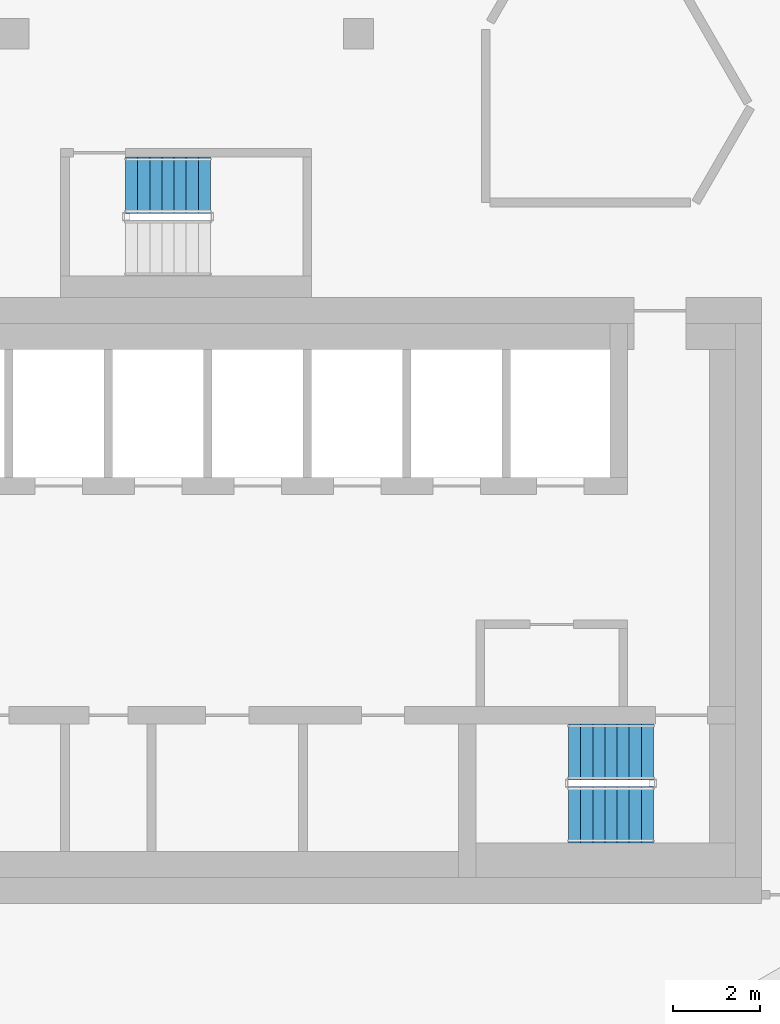
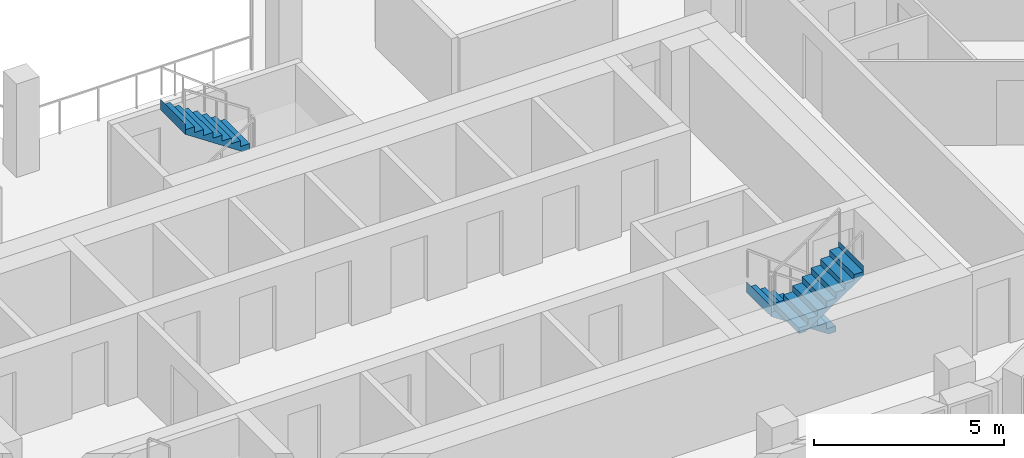
# One storey, part 10 of 15: 3 stair flights, 2 elements without a shape of their own.
"""IFC4 building model written with IfcOpenShell, lengths in metres."""

from ifc_helpers import new_model, si_unit, direction, frame, origin, place, context, subcontext, project, spatial, triangles, material, type_object, element, aggregate, save


model = new_model("IFC4")

# Units and contexts
model_context = context("Model", 3, precision=1e-05, world=origin(), true_north=direction((0.0, 1.0)))
body_context = subcontext(model_context, "Body", "Model", "MODEL_VIEW")
ifc_project = project(units=[si_unit("LENGTHUNIT", "METRE"), si_unit("AREAUNIT", "SQUARE_METRE"), si_unit("VOLUMEUNIT", "CUBIC_METRE"), si_unit("PLANEANGLEUNIT", "RADIAN"), si_unit("MASSUNIT", "GRAM", prefix="KILO")], contexts=[model_context])

# Site, building, storey
site_placement = place(None, origin())
site = spatial("IfcSite", under=ifc_project, at=site_placement, CompositionType="ELEMENT")
building_placement = place(site_placement, origin())
building = spatial("IfcBuilding", under=site, at=building_placement, Name="Beryl Residences", CompositionType="ELEMENT")
storey_placement = place(building_placement, frame((0.0, 0.0, 193.199951171875)))
storey = spatial("IfcBuildingStorey", under=building, at=storey_placement, Name="L59", CompositionType="ELEMENT", Elevation=193.199951171875)

# Stair, stair flights
ifc_material_1 = material(Name="Concrete C40/50", Category="concrete")
stair_type = type_object("IfcStairType", Name="ST1 protected exit stair, half-turn, 1300 mm flights", PredefinedType="HALF_TURN_STAIR", material=ifc_material_1)
stair_1_placement = place(storey_placement, origin())
stair_1 = element("IfcStair", 1, at=stair_1_placement, inside=storey, type_object=stair_type, Name="L59 PROTECTED EXIT STAIR ST-3", PredefinedType="HALF_TURN_STAIR")
ifc_material_2 = material(Name="Concrete C40/50", Category="concrete")
stair_flight_type = type_object("IfcStairFlightType", Name="SF1 stair flight 1300 mm", PredefinedType="STRAIGHT", material=ifc_material_2)
stair_flight_1_placement = place(storey_placement, frame((10.800048828125, -15.5, 0.0), z_axis=(0.0, 0.0, 1.0), x_axis=(-1.0, 0.0, 0.0)))
stair_flight_1 = element("IfcStairFlight", 2, at=stair_flight_1_placement, type_object=stair_flight_type, Name="ST-3 flight 1", NumberOfRisers=8, NumberOfTreads=7, PredefinedType="STRAIGHT", RiserHeight=0.1875, TreadLength=0.28, context=body_context, shape_type="Tessellation", body=[
    triangles([(0.0, -0.64990234375, 0.0), (0.0, -0.324951171875, 0.0), (0.0, 0.0, 0.0), (0.0, 0.324951171875, 0.0), (0.0, 0.64990234375, 0.0), (0.0, -0.64990234375, 0.1875), (0.0, -0.324951171875, 0.1875), (0.0, 0.0, 0.1875), (0.0, 0.324951171875, 0.1875), (0.0, 0.64990234375, 0.1875), (0.280029296875, -0.64990234375, 0.1875), (0.280029296875, -0.324951171875, 0.1875), (0.280029296875, 0.0, 0.1875), (0.280029296875, 0.324951171875, 0.1875), (0.280029296875, 0.64990234375, 0.1875), (0.280029296875, -0.64990234375, 0.375), (0.280029296875, -0.324951171875, 0.375), (0.280029296875, 0.0, 0.375), (0.280029296875, 0.324951171875, 0.375), (0.280029296875, 0.64990234375, 0.375), (0.56005859375, -0.64990234375, 0.375), (0.56005859375, -0.324951171875, 0.375), (0.56005859375, 0.0, 0.375), (0.56005859375, 0.324951171875, 0.375), (0.56005859375, 0.64990234375, 0.375), (0.56005859375, -0.64990234375, 0.5625), (0.56005859375, -0.324951171875, 0.5625), (0.56005859375, 0.0, 0.5625), (0.56005859375, 0.324951171875, 0.5625), (0.56005859375, 0.64990234375, 0.5625), (0.840087890625, -0.64990234375, 0.5625), (0.840087890625, -0.324951171875, 0.5625), (0.840087890625, 0.0, 0.5625), (0.840087890625, 0.324951171875, 0.5625), (0.840087890625, 0.64990234375, 0.5625), (0.840087890625, -0.64990234375, 0.75), (0.840087890625, -0.324951171875, 0.75), (0.840087890625, 0.0, 0.75), (0.840087890625, 0.324951171875, 0.75), (0.840087890625, 0.64990234375, 0.75), (1.1201171875, -0.64990234375, 0.75), (1.1201171875, -0.324951171875, 0.75), (1.1201171875, 0.0, 0.75), (1.1201171875, 0.324951171875, 0.75), (1.1201171875, 0.64990234375, 0.75), (1.1201171875, -0.64990234375, 0.9375), (1.1201171875, -0.324951171875, 0.9375), (1.1201171875, 0.0, 0.9375), (1.1201171875, 0.324951171875, 0.9375), (1.1201171875, 0.64990234375, 0.9375), (1.39990234375, -0.64990234375, 0.9375), (1.39990234375, -0.324951171875, 0.9375), (1.39990234375, 0.0, 0.9375), (1.39990234375, 0.324951171875, 0.9375), (1.39990234375, 0.64990234375, 0.9375), (1.39990234375, -0.64990234375, 1.125), (1.39990234375, -0.324951171875, 1.125), (1.39990234375, 0.0, 1.125), (1.39990234375, 0.324951171875, 1.125), (1.39990234375, 0.64990234375, 1.125), (1.679931640625, -0.64990234375, 1.125), (1.679931640625, -0.324951171875, 1.125), (1.679931640625, 0.0, 1.125), (1.679931640625, 0.324951171875, 1.125), (1.679931640625, 0.64990234375, 1.125), (1.679931640625, -0.64990234375, 1.3125), (1.679931640625, -0.324951171875, 1.3125), (1.679931640625, 0.0, 1.3125), (1.679931640625, 0.324951171875, 1.3125), (1.679931640625, 0.64990234375, 1.3125), (1.9599609375, -0.64990234375, 1.3125), (1.9599609375, -0.324951171875, 1.3125), (1.9599609375, 0.0, 1.3125), (1.9599609375, 0.324951171875, 1.3125), (1.9599609375, 0.64990234375, 1.3125), (1.9599609375, -0.64990234375, 1.5), (1.9599609375, -0.324951171875, 1.5), (1.9599609375, 0.0, 1.5), (1.9599609375, 0.324951171875, 1.5), (1.9599609375, 0.64990234375, 1.5), (1.9609375, -0.64990234375, 1.5), (1.9609375, -0.324951171875, 1.5), (1.9609375, 0.0, 1.5), (1.9609375, 0.324951171875, 1.5), (1.9609375, 0.64990234375, 1.5), (1.9609375, -0.64990234375, 1.16796875), (1.9609375, -0.324951171875, 1.16796875), (1.9609375, 0.0, 1.16796875), (1.9609375, 0.324951171875, 1.16796875), (1.9609375, 0.64990234375, 1.16796875), (0.216796875, -0.64990234375, 0.0), (0.216796875, -0.324951171875, 0.0), (0.216796875, 0.0, 0.0), (0.216796875, 0.324951171875, 0.0), (0.216796875, 0.64990234375, 0.0)], [[1, 6, 7], [1, 7, 2], [2, 7, 8], [2, 8, 3], [3, 8, 9], [3, 9, 4], [4, 9, 10], [4, 10, 5], [6, 11, 12], [6, 12, 7], [7, 12, 13], [7, 13, 8], [8, 13, 14], [8, 14, 9], [9, 14, 15], [9, 15, 10], [11, 16, 17], [11, 17, 12], [12, 17, 18], [12, 18, 13], [13, 18, 19], [13, 19, 14], [14, 19, 20], [14, 20, 15], [16, 21, 22], [16, 22, 17], [17, 22, 23], [17, 23, 18], [18, 23, 24], [18, 24, 19], [19, 24, 25], [19, 25, 20], [21, 26, 27], [21, 27, 22], [22, 27, 28], [22, 28, 23], [23, 28, 29], [23, 29, 24], [24, 29, 30], [24, 30, 25], [26, 31, 32], [26, 32, 27], [27, 32, 33], [27, 33, 28], [28, 33, 34], [28, 34, 29], [29, 34, 35], [29, 35, 30], [31, 36, 37], [31, 37, 32], [32, 37, 38], [32, 38, 33], [33, 38, 39], [33, 39, 34], [34, 39, 40], [34, 40, 35], [36, 41, 42], [36, 42, 37], [37, 42, 43], [37, 43, 38], [38, 43, 44], [38, 44, 39], [39, 44, 45], [39, 45, 40], [41, 46, 47], [41, 47, 42], [42, 47, 48], [42, 48, 43], [43, 48, 49], [43, 49, 44], [44, 49, 50], [44, 50, 45], [46, 51, 52], [46, 52, 47], [47, 52, 53], [47, 53, 48], [48, 53, 54], [48, 54, 49], [49, 54, 55], [49, 55, 50], [51, 56, 57], [51, 57, 52], [52, 57, 58], [52, 58, 53], [53, 58, 59], [53, 59, 54], [54, 59, 60], [54, 60, 55], [56, 61, 62], [56, 62, 57], [57, 62, 63], [57, 63, 58], [58, 63, 64], [58, 64, 59], [59, 64, 65], [59, 65, 60], [61, 66, 67], [61, 67, 62], [62, 67, 68], [62, 68, 63], [63, 68, 69], [63, 69, 64], [64, 69, 70], [64, 70, 65], [66, 71, 72], [66, 72, 67], [67, 72, 73], [67, 73, 68], [68, 73, 74], [68, 74, 69], [69, 74, 75], [69, 75, 70], [71, 76, 77], [71, 77, 72], [72, 77, 78], [72, 78, 73], [73, 78, 79], [73, 79, 74], [74, 79, 80], [74, 80, 75], [76, 81, 82], [76, 82, 77], [77, 82, 83], [77, 83, 78], [78, 83, 84], [78, 84, 79], [79, 84, 85], [79, 85, 80], [81, 86, 87], [81, 87, 82], [82, 87, 88], [82, 88, 83], [83, 88, 89], [83, 89, 84], [84, 89, 90], [84, 90, 85], [86, 91, 92], [86, 92, 87], [87, 92, 93], [87, 93, 88], [88, 93, 94], [88, 94, 89], [89, 94, 95], [89, 95, 90], [91, 1, 2], [91, 2, 92], [92, 2, 3], [92, 3, 93], [93, 3, 4], [93, 4, 94], [94, 4, 5], [94, 5, 95], [1, 91, 86], [5, 90, 95], [86, 81, 76], [90, 80, 85], [86, 76, 71], [90, 75, 80], [86, 71, 66], [90, 70, 75], [86, 66, 61], [90, 65, 70], [61, 56, 51], [65, 55, 60], [86, 61, 51], [90, 55, 65], [51, 46, 41], [55, 45, 50], [86, 51, 41], [90, 45, 55], [41, 36, 31], [45, 35, 40], [86, 41, 31], [90, 35, 45], [31, 26, 21], [35, 25, 30], [86, 31, 21], [90, 25, 35], [21, 16, 11], [25, 15, 20], [86, 21, 11], [90, 15, 25], [1, 86, 11], [5, 15, 90], [11, 6, 1], [15, 5, 10]], closed=True),
])
stair_flight_2_placement = place(storey_placement, frame((8.840087890625, -16.949951171875, 1.5), z_axis=(0.0, 0.0, 1.0), x_axis=(1.0, 0.0, 0.0)))
stair_flight_2 = element("IfcStairFlight", 3, at=stair_flight_2_placement, type_object=stair_flight_type, Name="ST-3 flight 2", NumberOfRisers=8, NumberOfTreads=7, PredefinedType="STRAIGHT", RiserHeight=0.1875, TreadLength=0.28, context=body_context, shape_type="Tessellation", body=[
    triangles([(0.0, -0.64990234375, 0.0), (0.0, -0.324951171875, 0.0), (0.0, 0.0, 0.0), (0.0, 0.324951171875, 0.0), (0.0, 0.64990234375, 0.0), (0.0, -0.64990234375, 0.1875), (0.0, -0.324951171875, 0.1875), (0.0, 0.0, 0.1875), (0.0, 0.324951171875, 0.1875), (0.0, 0.64990234375, 0.1875), (0.280029296875, -0.64990234375, 0.1875), (0.280029296875, -0.324951171875, 0.1875), (0.280029296875, 0.0, 0.1875), (0.280029296875, 0.324951171875, 0.1875), (0.280029296875, 0.64990234375, 0.1875), (0.280029296875, -0.64990234375, 0.375), (0.280029296875, -0.324951171875, 0.375), (0.280029296875, 0.0, 0.375), (0.280029296875, 0.324951171875, 0.375), (0.280029296875, 0.64990234375, 0.375), (0.56005859375, -0.64990234375, 0.375), (0.56005859375, -0.324951171875, 0.375), (0.56005859375, 0.0, 0.375), (0.56005859375, 0.324951171875, 0.375), (0.56005859375, 0.64990234375, 0.375), (0.56005859375, -0.64990234375, 0.5625), (0.56005859375, -0.324951171875, 0.5625), (0.56005859375, 0.0, 0.5625), (0.56005859375, 0.324951171875, 0.5625), (0.56005859375, 0.64990234375, 0.5625), (0.840087890625, -0.64990234375, 0.5625), (0.840087890625, -0.324951171875, 0.5625), (0.840087890625, 0.0, 0.5625), (0.840087890625, 0.324951171875, 0.5625), (0.840087890625, 0.64990234375, 0.5625), (0.840087890625, -0.64990234375, 0.75), (0.840087890625, -0.324951171875, 0.75), (0.840087890625, 0.0, 0.75), (0.840087890625, 0.324951171875, 0.75), (0.840087890625, 0.64990234375, 0.75), (1.1201171875, -0.64990234375, 0.75), (1.1201171875, -0.324951171875, 0.75), (1.1201171875, 0.0, 0.75), (1.1201171875, 0.324951171875, 0.75), (1.1201171875, 0.64990234375, 0.75), (1.1201171875, -0.64990234375, 0.9375), (1.1201171875, -0.324951171875, 0.9375), (1.1201171875, 0.0, 0.9375), (1.1201171875, 0.324951171875, 0.9375), (1.1201171875, 0.64990234375, 0.9375), (1.39990234375, -0.64990234375, 0.9375), (1.39990234375, -0.324951171875, 0.9375), (1.39990234375, 0.0, 0.9375), (1.39990234375, 0.324951171875, 0.9375), (1.39990234375, 0.64990234375, 0.9375), (1.39990234375, -0.64990234375, 1.125), (1.39990234375, -0.324951171875, 1.125), (1.39990234375, 0.0, 1.125), (1.39990234375, 0.324951171875, 1.125), (1.39990234375, 0.64990234375, 1.125), (1.679931640625, -0.64990234375, 1.125), (1.679931640625, -0.324951171875, 1.125), (1.679931640625, 0.0, 1.125), (1.679931640625, 0.324951171875, 1.125), (1.679931640625, 0.64990234375, 1.125), (1.679931640625, -0.64990234375, 1.3125), (1.679931640625, -0.324951171875, 1.3125), (1.679931640625, 0.0, 1.3125), (1.679931640625, 0.324951171875, 1.3125), (1.679931640625, 0.64990234375, 1.3125), (1.9599609375, -0.64990234375, 1.3125), (1.9599609375, -0.324951171875, 1.3125), (1.9599609375, 0.0, 1.3125), (1.9599609375, 0.324951171875, 1.3125), (1.9599609375, 0.64990234375, 1.3125), (1.9599609375, -0.64990234375, 1.5), (1.9599609375, -0.324951171875, 1.5), (1.9599609375, 0.0, 1.5), (1.9599609375, 0.324951171875, 1.5), (1.9599609375, 0.64990234375, 1.5), (1.9609375, -0.64990234375, 1.5), (1.9609375, -0.324951171875, 1.5), (1.9609375, 0.0, 1.5), (1.9609375, 0.324951171875, 1.5), (1.9609375, 0.64990234375, 1.5), (1.9609375, -0.64990234375, 1.16796875), (1.9609375, -0.324951171875, 1.16796875), (1.9609375, 0.0, 1.16796875), (1.9609375, 0.324951171875, 1.16796875), (1.9609375, 0.64990234375, 1.16796875), (0.216796875, -0.64990234375, 0.0), (0.216796875, -0.324951171875, 0.0), (0.216796875, 0.0, 0.0), (0.216796875, 0.324951171875, 0.0), (0.216796875, 0.64990234375, 0.0)], [[1, 6, 7], [1, 7, 2], [2, 7, 8], [2, 8, 3], [3, 8, 9], [3, 9, 4], [4, 9, 10], [4, 10, 5], [6, 11, 12], [6, 12, 7], [7, 12, 13], [7, 13, 8], [8, 13, 14], [8, 14, 9], [9, 14, 15], [9, 15, 10], [11, 16, 17], [11, 17, 12], [12, 17, 18], [12, 18, 13], [13, 18, 19], [13, 19, 14], [14, 19, 20], [14, 20, 15], [16, 21, 22], [16, 22, 17], [17, 22, 23], [17, 23, 18], [18, 23, 24], [18, 24, 19], [19, 24, 25], [19, 25, 20], [21, 26, 27], [21, 27, 22], [22, 27, 28], [22, 28, 23], [23, 28, 29], [23, 29, 24], [24, 29, 30], [24, 30, 25], [26, 31, 32], [26, 32, 27], [27, 32, 33], [27, 33, 28], [28, 33, 34], [28, 34, 29], [29, 34, 35], [29, 35, 30], [31, 36, 37], [31, 37, 32], [32, 37, 38], [32, 38, 33], [33, 38, 39], [33, 39, 34], [34, 39, 40], [34, 40, 35], [36, 41, 42], [36, 42, 37], [37, 42, 43], [37, 43, 38], [38, 43, 44], [38, 44, 39], [39, 44, 45], [39, 45, 40], [41, 46, 47], [41, 47, 42], [42, 47, 48], [42, 48, 43], [43, 48, 49], [43, 49, 44], [44, 49, 50], [44, 50, 45], [46, 51, 52], [46, 52, 47], [47, 52, 53], [47, 53, 48], [48, 53, 54], [48, 54, 49], [49, 54, 55], [49, 55, 50], [51, 56, 57], [51, 57, 52], [52, 57, 58], [52, 58, 53], [53, 58, 59], [53, 59, 54], [54, 59, 60], [54, 60, 55], [56, 61, 62], [56, 62, 57], [57, 62, 63], [57, 63, 58], [58, 63, 64], [58, 64, 59], [59, 64, 65], [59, 65, 60], [61, 66, 67], [61, 67, 62], [62, 67, 68], [62, 68, 63], [63, 68, 69], [63, 69, 64], [64, 69, 70], [64, 70, 65], [66, 71, 72], [66, 72, 67], [67, 72, 73], [67, 73, 68], [68, 73, 74], [68, 74, 69], [69, 74, 75], [69, 75, 70], [71, 76, 77], [71, 77, 72], [72, 77, 78], [72, 78, 73], [73, 78, 79], [73, 79, 74], [74, 79, 80], [74, 80, 75], [76, 81, 82], [76, 82, 77], [77, 82, 83], [77, 83, 78], [78, 83, 84], [78, 84, 79], [79, 84, 85], [79, 85, 80], [81, 86, 87], [81, 87, 82], [82, 87, 88], [82, 88, 83], [83, 88, 89], [83, 89, 84], [84, 89, 90], [84, 90, 85], [86, 91, 92], [86, 92, 87], [87, 92, 93], [87, 93, 88], [88, 93, 94], [88, 94, 89], [89, 94, 95], [89, 95, 90], [91, 1, 2], [91, 2, 92], [92, 2, 3], [92, 3, 93], [93, 3, 4], [93, 4, 94], [94, 4, 5], [94, 5, 95], [1, 91, 86], [5, 90, 95], [86, 81, 76], [90, 80, 85], [86, 76, 71], [90, 75, 80], [86, 71, 66], [90, 70, 75], [86, 66, 61], [90, 65, 70], [61, 56, 51], [65, 55, 60], [86, 61, 51], [90, 55, 65], [51, 46, 41], [55, 45, 50], [86, 51, 41], [90, 45, 55], [41, 36, 31], [45, 35, 40], [86, 41, 31], [90, 35, 45], [31, 26, 21], [35, 25, 30], [86, 31, 21], [90, 25, 35], [21, 16, 11], [25, 15, 20], [86, 21, 11], [90, 15, 25], [1, 86, 11], [5, 15, 90], [11, 6, 1], [15, 5, 10]], closed=True),
])
aggregate(stair_1, [stair_flight_1, stair_flight_2])

# Stair, stair flight
stair_2_placement = place(storey_placement, origin())
stair_2 = element("IfcStair", 4, at=stair_2_placement, inside=storey, type_object=stair_type, Name="L59 PROTECTED EXIT STAIR ST-4", PredefinedType="HALF_TURN_STAIR")
stair_flight_3_placement = place(storey_placement, frame((0.56005859375, -2.39990234375, 1.5), z_axis=(0.0, 0.0, 1.0), x_axis=(-1.0, 0.0, 0.0)))
stair_flight_3 = element("IfcStairFlight", 5, at=stair_flight_3_placement, type_object=stair_flight_type, Name="ST-4 flight 2", NumberOfRisers=8, NumberOfTreads=7, PredefinedType="STRAIGHT", RiserHeight=0.1875, TreadLength=0.28, context=body_context, shape_type="Tessellation", body=[
    triangles([(0.0, -0.64990234375, 0.0), (0.0, -0.324951171875, 0.0), (0.0, 0.0, 0.0), (0.0, 0.324951171875, 0.0), (0.0, 0.64990234375, 0.0), (0.0, -0.64990234375, 0.1875), (0.0, -0.324951171875, 0.1875), (0.0, 0.0, 0.1875), (0.0, 0.324951171875, 0.1875), (0.0, 0.64990234375, 0.1875), (0.280029296875, -0.64990234375, 0.1875), (0.280029296875, -0.324951171875, 0.1875), (0.280029296875, 0.0, 0.1875), (0.280029296875, 0.324951171875, 0.1875), (0.280029296875, 0.64990234375, 0.1875), (0.280029296875, -0.64990234375, 0.375), (0.280029296875, -0.324951171875, 0.375), (0.280029296875, 0.0, 0.375), (0.280029296875, 0.324951171875, 0.375), (0.280029296875, 0.64990234375, 0.375), (0.56005859375, -0.64990234375, 0.375), (0.56005859375, -0.324951171875, 0.375), (0.56005859375, 0.0, 0.375), (0.56005859375, 0.324951171875, 0.375), (0.56005859375, 0.64990234375, 0.375), (0.56005859375, -0.64990234375, 0.5625), (0.56005859375, -0.324951171875, 0.5625), (0.56005859375, 0.0, 0.5625), (0.56005859375, 0.324951171875, 0.5625), (0.56005859375, 0.64990234375, 0.5625), (0.840087890625, -0.64990234375, 0.5625), (0.840087890625, -0.324951171875, 0.5625), (0.840087890625, 0.0, 0.5625), (0.840087890625, 0.324951171875, 0.5625), (0.840087890625, 0.64990234375, 0.5625), (0.840087890625, -0.64990234375, 0.75), (0.840087890625, -0.324951171875, 0.75), (0.840087890625, 0.0, 0.75), (0.840087890625, 0.324951171875, 0.75), (0.840087890625, 0.64990234375, 0.75), (1.1201171875, -0.64990234375, 0.75), (1.1201171875, -0.324951171875, 0.75), (1.1201171875, 0.0, 0.75), (1.1201171875, 0.324951171875, 0.75), (1.1201171875, 0.64990234375, 0.75), (1.1201171875, -0.64990234375, 0.9375), (1.1201171875, -0.324951171875, 0.9375), (1.1201171875, 0.0, 0.9375), (1.1201171875, 0.324951171875, 0.9375), (1.1201171875, 0.64990234375, 0.9375), (1.39990234375, -0.64990234375, 0.9375), (1.39990234375, -0.324951171875, 0.9375), (1.39990234375, 0.0, 0.9375), (1.39990234375, 0.324951171875, 0.9375), (1.39990234375, 0.64990234375, 0.9375), (1.39990234375, -0.64990234375, 1.125), (1.39990234375, -0.324951171875, 1.125), (1.39990234375, 0.0, 1.125), (1.39990234375, 0.324951171875, 1.125), (1.39990234375, 0.64990234375, 1.125), (1.679931640625, -0.64990234375, 1.125), (1.679931640625, -0.324951171875, 1.125), (1.679931640625, 0.0, 1.125), (1.679931640625, 0.324951171875, 1.125), (1.679931640625, 0.64990234375, 1.125), (1.679931640625, -0.64990234375, 1.3125), (1.679931640625, -0.324951171875, 1.3125), (1.679931640625, 0.0, 1.3125), (1.679931640625, 0.324951171875, 1.3125), (1.679931640625, 0.64990234375, 1.3125), (1.9599609375, -0.64990234375, 1.3125), (1.9599609375, -0.324951171875, 1.3125), (1.9599609375, 0.0, 1.3125), (1.9599609375, 0.324951171875, 1.3125), (1.9599609375, 0.64990234375, 1.3125), (1.9599609375, -0.64990234375, 1.5), (1.9599609375, -0.324951171875, 1.5), (1.9599609375, 0.0, 1.5), (1.9599609375, 0.324951171875, 1.5), (1.9599609375, 0.64990234375, 1.5), (1.9609375, -0.64990234375, 1.5), (1.9609375, -0.324951171875, 1.5), (1.9609375, 0.0, 1.5), (1.9609375, 0.324951171875, 1.5), (1.9609375, 0.64990234375, 1.5), (1.9609375, -0.64990234375, 1.16796875), (1.9609375, -0.324951171875, 1.16796875), (1.9609375, 0.0, 1.16796875), (1.9609375, 0.324951171875, 1.16796875), (1.9609375, 0.64990234375, 1.16796875), (0.216796875, -0.64990234375, 0.0), (0.216796875, -0.324951171875, 0.0), (0.216796875, 0.0, 0.0), (0.216796875, 0.324951171875, 0.0), (0.216796875, 0.64990234375, 0.0)], [[1, 6, 7], [1, 7, 2], [2, 7, 8], [2, 8, 3], [3, 8, 9], [3, 9, 4], [4, 9, 10], [4, 10, 5], [6, 11, 12], [6, 12, 7], [7, 12, 13], [7, 13, 8], [8, 13, 14], [8, 14, 9], [9, 14, 15], [9, 15, 10], [11, 16, 17], [11, 17, 12], [12, 17, 18], [12, 18, 13], [13, 18, 19], [13, 19, 14], [14, 19, 20], [14, 20, 15], [16, 21, 22], [16, 22, 17], [17, 22, 23], [17, 23, 18], [18, 23, 24], [18, 24, 19], [19, 24, 25], [19, 25, 20], [21, 26, 27], [21, 27, 22], [22, 27, 28], [22, 28, 23], [23, 28, 29], [23, 29, 24], [24, 29, 30], [24, 30, 25], [26, 31, 32], [26, 32, 27], [27, 32, 33], [27, 33, 28], [28, 33, 34], [28, 34, 29], [29, 34, 35], [29, 35, 30], [31, 36, 37], [31, 37, 32], [32, 37, 38], [32, 38, 33], [33, 38, 39], [33, 39, 34], [34, 39, 40], [34, 40, 35], [36, 41, 42], [36, 42, 37], [37, 42, 43], [37, 43, 38], [38, 43, 44], [38, 44, 39], [39, 44, 45], [39, 45, 40], [41, 46, 47], [41, 47, 42], [42, 47, 48], [42, 48, 43], [43, 48, 49], [43, 49, 44], [44, 49, 50], [44, 50, 45], [46, 51, 52], [46, 52, 47], [47, 52, 53], [47, 53, 48], [48, 53, 54], [48, 54, 49], [49, 54, 55], [49, 55, 50], [51, 56, 57], [51, 57, 52], [52, 57, 58], [52, 58, 53], [53, 58, 59], [53, 59, 54], [54, 59, 60], [54, 60, 55], [56, 61, 62], [56, 62, 57], [57, 62, 63], [57, 63, 58], [58, 63, 64], [58, 64, 59], [59, 64, 65], [59, 65, 60], [61, 66, 67], [61, 67, 62], [62, 67, 68], [62, 68, 63], [63, 68, 69], [63, 69, 64], [64, 69, 70], [64, 70, 65], [66, 71, 72], [66, 72, 67], [67, 72, 73], [67, 73, 68], [68, 73, 74], [68, 74, 69], [69, 74, 75], [69, 75, 70], [71, 76, 77], [71, 77, 72], [72, 77, 78], [72, 78, 73], [73, 78, 79], [73, 79, 74], [74, 79, 80], [74, 80, 75], [76, 81, 82], [76, 82, 77], [77, 82, 83], [77, 83, 78], [78, 83, 84], [78, 84, 79], [79, 84, 85], [79, 85, 80], [81, 86, 87], [81, 87, 82], [82, 87, 88], [82, 88, 83], [83, 88, 89], [83, 89, 84], [84, 89, 90], [84, 90, 85], [86, 91, 92], [86, 92, 87], [87, 92, 93], [87, 93, 88], [88, 93, 94], [88, 94, 89], [89, 94, 95], [89, 95, 90], [91, 1, 2], [91, 2, 92], [92, 2, 3], [92, 3, 93], [93, 3, 4], [93, 4, 94], [94, 4, 5], [94, 5, 95], [1, 91, 86], [5, 90, 95], [86, 81, 76], [90, 80, 85], [86, 76, 71], [90, 75, 80], [86, 71, 66], [90, 70, 75], [86, 66, 61], [90, 65, 70], [61, 56, 51], [65, 55, 60], [86, 61, 51], [90, 55, 65], [51, 46, 41], [55, 45, 50], [86, 51, 41], [90, 45, 55], [41, 36, 31], [45, 35, 40], [86, 41, 31], [90, 35, 45], [31, 26, 21], [35, 25, 30], [86, 31, 21], [90, 25, 35], [21, 16, 11], [25, 15, 20], [86, 21, 11], [90, 15, 25], [1, 86, 11], [5, 15, 90], [11, 6, 1], [15, 5, 10]], closed=True),
])
aggregate(stair_2, [stair_flight_3])

save(model, "model.ifc")
